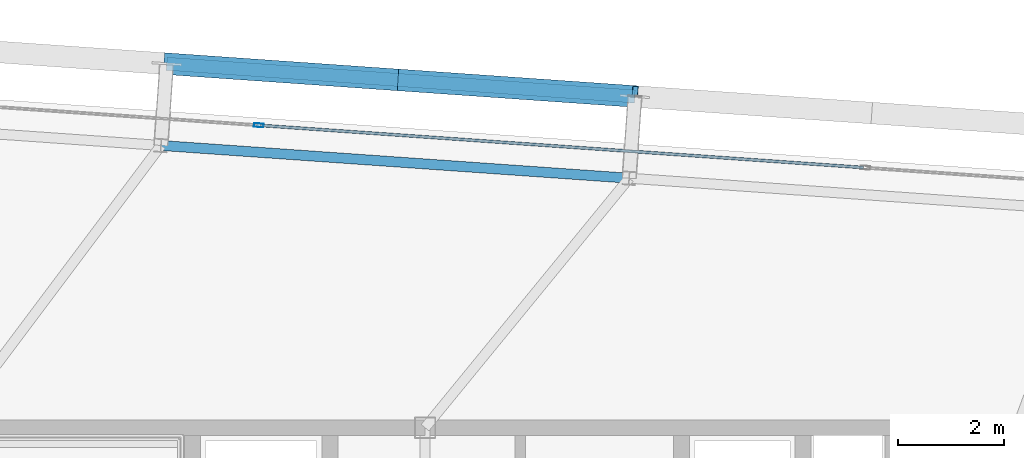
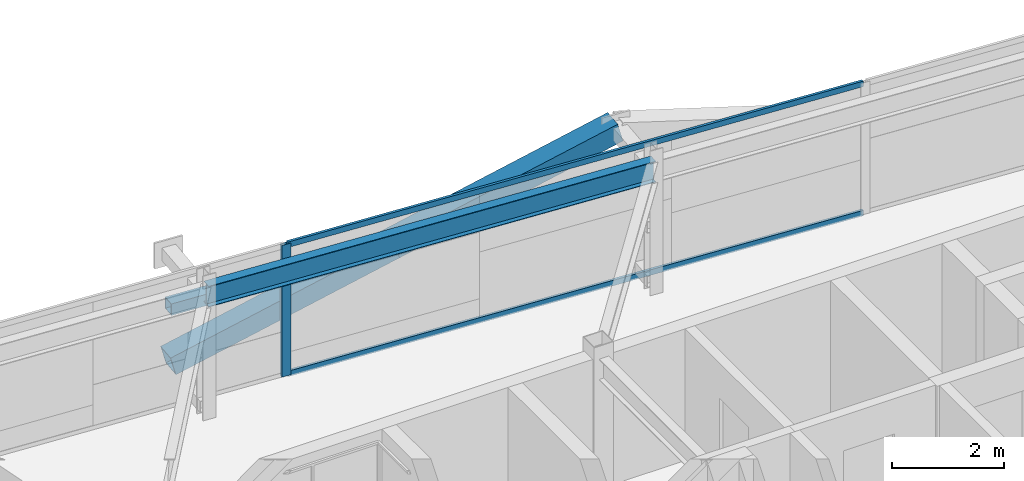
# One storey, part 21 of 39: 6 members, 1 beam, 1 element without a shape of its own.
"""IFC4 building model written with IfcOpenShell, lengths in metres."""

from ifc_helpers import new_model, si_unit, direction, frame, origin, origin_2d, place, context, subcontext, project, spatial, hollow_rectangle, i_section, extrude, source, transform, mapped, material, layer, layer_set, material_profile, profile_set, type_object, element, aggregate, save


model = new_model("IFC4")

# Units and contexts
model_context = context("Model", 3, precision=1e-05, world=origin(), true_north=direction((0.0, 1.0)))
body_context = subcontext(model_context, "Body", "Model", "MODEL_VIEW")
ifc_project = project(units=[si_unit("LENGTHUNIT", "METRE"), si_unit("AREAUNIT", "SQUARE_METRE"), si_unit("VOLUMEUNIT", "CUBIC_METRE"), si_unit("PLANEANGLEUNIT", "RADIAN"), si_unit("MASSUNIT", "GRAM", prefix="KILO")], contexts=[model_context])

# Site, building, storey
site_placement = place(None, origin())
site = spatial("IfcSite", under=ifc_project, at=site_placement, CompositionType="ELEMENT")
building_placement = place(site_placement, origin())
building = spatial("IfcBuilding", under=site, at=building_placement, Name="Taldren Reach Tower", CompositionType="ELEMENT")
storey_placement = place(building_placement, frame((0.0, 0.0, 161.35009765625)))
storey = spatial("IfcBuildingStorey", under=building, at=storey_placement, Name="L49", CompositionType="ELEMENT", Elevation=161.35009765625)

# Beam
ifc_material_1 = material(Name="Steel Gr 350 (350PLUS)", Category="steel")
ifc_material_profile_1 = material_profile(ifc_material_1, i_section(OverallWidth=0.18994140625, OverallDepth=0.4541015625, WebThickness=0.008544921875, FlangeThickness=0.0126953125, at=origin_2d()), Name="460UB67.1")
ifc_profile_set_1 = profile_set([ifc_material_profile_1], Name="Steel Gr 350 (350PLUS)")
beam_type = type_object("IfcBeamType", Name="SP-UB460B", PredefinedType="SPANDREL", material=ifc_profile_set_1)
shared_shape_1 = source(origin(), body_context, "Body", "SweptSolid", [
    extrude(i_section(OverallWidth=0.18994140625, OverallDepth=0.4541015625, WebThickness=0.008544921875, FlangeThickness=0.0126953125, at=origin_2d()), origin(), (0.0, 0.0, 1.0), 8.880126953125),
])
beam_placement = place(storey_placement, frame((31.861328125, 36.719970703125, 2.642822265625), z_axis=(-0.997564479639, 0.069750333063, 0.0), x_axis=(-0.069750333063, -0.997564479639, 0.0)))
element("IfcBeam", 1, at=beam_placement, inside=storey, type_object=beam_type, Name="Perimeter spandrel B3 N3-N2 L49", PredefinedType="SPANDREL", context=body_context, shape_type="MappedRepresentation", body=[
    mapped(shared_shape_1, transform((0.0, 0.0, 0.0), scale=1.0)),
])

# Members
ifc_material_2 = material(Name="Steel Gr 350 (C350L0)", Category="steel")
ifc_material_profile_2 = material_profile(ifc_material_2, hollow_rectangle(XDim=0.25, YDim=0.25, WallThickness=0.010009765625, at=origin_2d()), Name="250x250x10.0SHS")
ifc_profile_set_2 = profile_set([ifc_material_profile_2], Name="Steel Gr 350 (C350L0)")
member_type_1 = type_object("IfcMemberType", Name="MB-POST250", PredefinedType="POST", material=ifc_profile_set_2)
shared_shape_2 = source(origin(), body_context, "Body", "SweptSolid", [
    extrude(hollow_rectangle(XDim=0.25, YDim=0.25, WallThickness=0.010009765625, at=origin_2d()), origin(), (0.0, 0.0, 1.0), 8.880126953125),
])
member_1_placement = place(storey_placement, frame((23.111083984375, 38.885498046875, 1.40478515625), z_axis=(0.997564479639, -0.069750333063, 0.0), x_axis=(0.069750333063, 0.997564479639, 0.0)))
element("IfcMember", 2, at=member_1_placement, inside=storey, type_object=member_type_1, Name="Exoskeleton mid-height ring chord B3-N2 L49", PredefinedType="POST", context=body_context, shape_type="MappedRepresentation", body=[
    mapped(shared_shape_2, transform((0.0, 0.0, 0.0), scale=1.0)),
])
ifc_material_3 = material(Name="Steel Gr 450 (C450L0)", Category="steel")
ifc_material_profile_3 = material_profile(ifc_material_3, hollow_rectangle(XDim=0.409912109375, YDim=0.409912109375, WallThickness=0.01611328125, at=origin_2d()), Name="410x410x16.0SHS")
ifc_profile_set_3 = profile_set([ifc_material_profile_3], Name="Steel Gr 450 (C450L0)")
member_type_2 = type_object("IfcMemberType", Name="MB-EXO406", PredefinedType="BRACE", material=ifc_profile_set_3)
shared_shape_3 = source(origin(), body_context, "Body", "SweptSolid", [
    extrude(hollow_rectangle(XDim=0.409912109375, YDim=0.409912109375, WallThickness=0.01611328125, at=origin_2d()), origin(), (0.0, 0.0, 1.0), 4.595458984375),
])
for number, where, z_axis, x_axis, name in (
    (3, (23.111083984375, 38.885498046875, 0.219970703125), (0.963839535663, -0.0673657001, 0.257827872703), (0.069722973508, 0.997566392259, 0.0), "Exoskeleton Diagrid Brace B3-N2 L49"),
    (4, (27.540283203125, 38.575927734375, 1.40478515625), (0.96382288138, -0.067417662687, 0.257876544274), (0.06977769246, 0.997562566276, 0.0), "Exoskeleton Diagrid Brace B3-N2 L49"),
):
    element("IfcMember", number, at=place(storey_placement, frame(where, z_axis=z_axis, x_axis=x_axis)), inside=storey, type_object=member_type_2, Name=name, PredefinedType="BRACE", context=body_context, shape_type="MappedRepresentation", body=[
        mapped(shared_shape_3, transform((0.0, 0.0, 0.0), scale=1.0)),
    ])

# Curtain wall, members
ifc_material_4 = material(Name="Aluminium and Low-E Glass Unitised System", Category="aluminium")
ifc_layer = layer(ifc_material_4, 0.159912109375)
ifc_layer_set = layer_set([ifc_layer], Name="Aluminium and Low-E Glass Unitised System")
curtain_wall_type = type_object("IfcCurtainWallType", Name="CW-SYS-4", PredefinedType="NOTDEFINED", material=ifc_layer_set)
curtain_wall_placement = place(storey_placement, origin())
curtain_wall = element("IfcCurtainWall", 5, at=curtain_wall_placement, inside=storey, type_object=curtain_wall_type, Name="Unitised curtain wall CW-L49-N", PredefinedType="NOTDEFINED")
ifc_material_5 = material(Name="Anodised Aluminium 6063-T6", Category="aluminium")
ifc_material_profile_4 = material_profile(ifc_material_5, hollow_rectangle(XDim=0.054931640625, YDim=0.1201171875, WallThickness=0.0029296875, at=origin_2d()), Name="ALU-120x55x3RHS")
ifc_profile_set_4 = profile_set([ifc_material_profile_4], Name="Anodised Aluminium 6063-T6")
member_type_3 = type_object("IfcMemberType", Name="CW-TRN-135", PredefinedType="USERDEFINED", material=ifc_profile_set_4)
shared_shape_4 = source(origin(), body_context, "Body", "SweptSolid", [
    extrude(hollow_rectangle(XDim=0.054931640625, YDim=0.1201171875, WallThickness=0.0029296875, at=origin_2d()), origin(), (0.0, 0.0, 1.0), 11.43017578125),
])
member_2_placement = place(storey_placement, frame((36.291259765625, 36.92138671875, 0.02734375), z_axis=(-0.997563844883, 0.069759410701, 0.0), x_axis=(-0.069759410701, -0.997563844883, 0.0)))
member_2 = element("IfcMember", 6, at=member_2_placement, type_object=member_type_3, Name="CW-4 transom 3.1", ObjectType="TRANSOM", PredefinedType="USERDEFINED", context=body_context, shape_type="MappedRepresentation", body=[
    mapped(shared_shape_4, transform((0.0, 0.0, 0.0), scale=1.0)),
])
member_3_placement = place(storey_placement, frame((36.291259765625, 36.92138671875, 2.84228515625), z_axis=(-0.997563844883, 0.069759410701, 0.0), x_axis=(-0.069759410701, -0.997563844883, 0.0)))
member_3 = element("IfcMember", 7, at=member_3_placement, type_object=member_type_3, Name="CW-4 transom 3.2", ObjectType="TRANSOM", PredefinedType="USERDEFINED", context=body_context, shape_type="MappedRepresentation", body=[
    mapped(shared_shape_4, transform((0.0, 0.0, 0.0), scale=1.0)),
])
ifc_material_profile_5 = material_profile(ifc_material_5, hollow_rectangle(XDim=0.070068359375, YDim=0.179931640625, WallThickness=0.00390625, at=origin_2d()), Name="ALU-180x70x4RHS")
ifc_profile_set_5 = profile_set([ifc_material_profile_5], Name="Anodised Aluminium 6063-T6")
member_type_4 = type_object("IfcMemberType", Name="CW-MUL-180", PredefinedType="MULLION", material=ifc_profile_set_5)
shared_shape_5 = source(origin(), body_context, "Body", "SweptSolid", [
    extrude(hollow_rectangle(XDim=0.070068359375, YDim=0.179931640625, WallThickness=0.00390625, at=origin_2d()), origin(), (0.0, 0.0, 1.0), 2.869873046875),
])
member_4_placement = place(storey_placement, frame((24.85400390625, 37.72119140625, 0.0), z_axis=(0.0, 0.0, 1.0), x_axis=(-0.06975651593, -0.99756404731, 0.0)))
member_4 = element("IfcMember", 8, at=member_4_placement, type_object=member_type_4, Name="CW-4 mullion 4", PredefinedType="MULLION", context=body_context, shape_type="MappedRepresentation", body=[
    mapped(shared_shape_5, transform((0.0, 0.0, 0.0), scale=1.0)),
])
aggregate(curtain_wall, [member_4, member_2, member_3])

save(model, "model.ifc")
